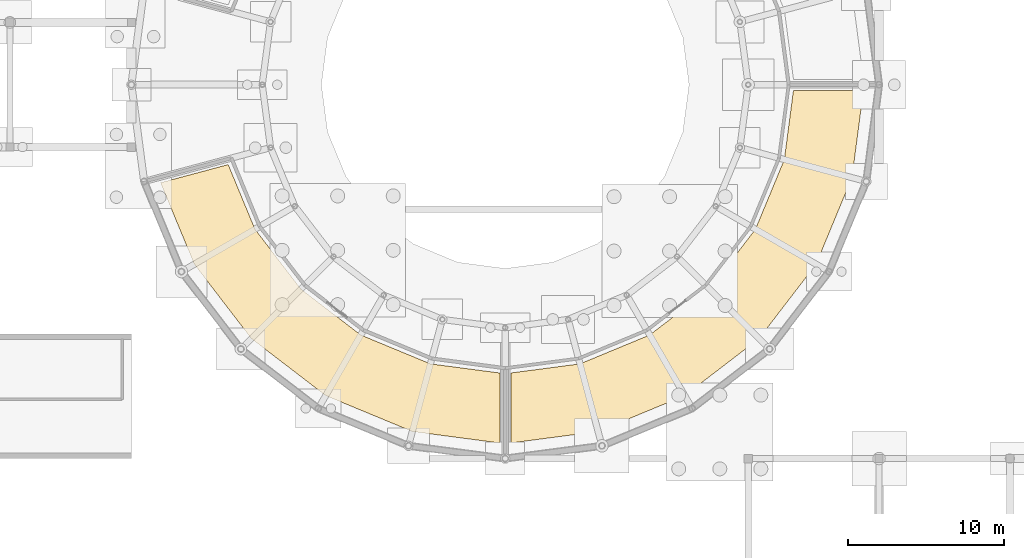
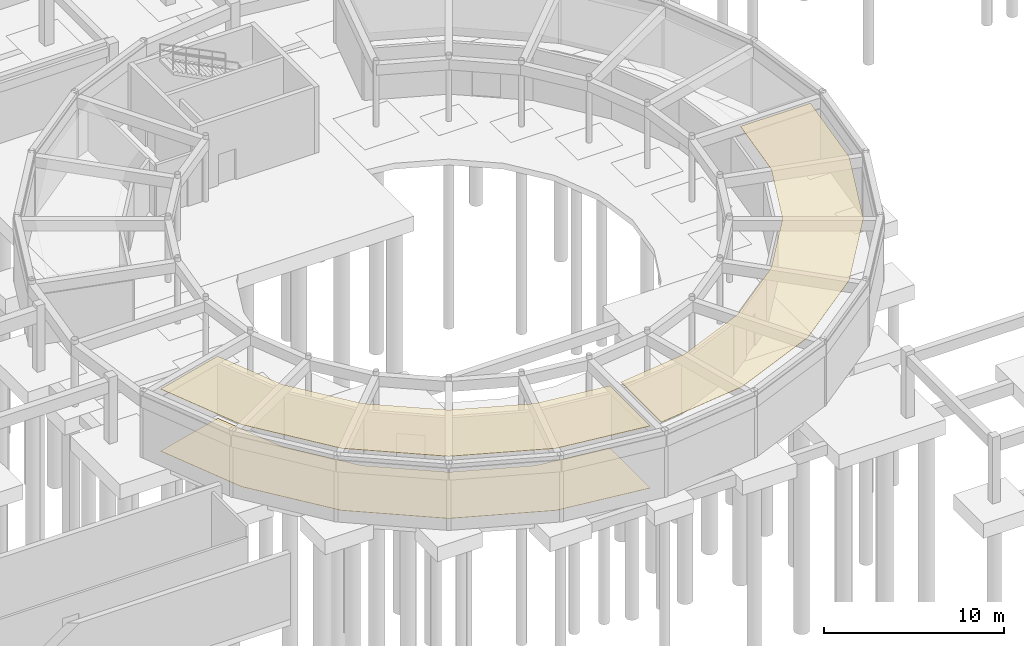
# One storey, part 36 of 43: 3 coverings.
"""IFC4 building model written with IfcOpenShell, lengths in metres."""

from ifc_helpers import new_model, si_unit, derived_unit, direction, frame, origin, place, context, subcontext, project, spatial, polyline, outline, extrude, material, layer, layer_set, type_object, element, save


model = new_model("IFC4")

# Units and contexts
model_context = context("Model", 3, precision=1e-05, world=origin(), true_north=direction((0.0, 1.0)))
body_context = subcontext(model_context, "Body", "Model", "MODEL_VIEW")
ifc_project = project(units=[si_unit("LENGTHUNIT", "METRE"), si_unit("AREAUNIT", "SQUARE_METRE"), si_unit("VOLUMEUNIT", "CUBIC_METRE"), si_unit("PLANEANGLEUNIT", "RADIAN"), si_unit("MASSUNIT", "GRAM", prefix="KILO"), derived_unit("THERMALTRANSMITTANCEUNIT", [(si_unit("POWERUNIT", "WATT"), 1), (si_unit("AREAUNIT", "SQUARE_METRE"), -1), (si_unit("THERMODYNAMICTEMPERATUREUNIT", "KELVIN"), -1)])], contexts=[model_context])

# Site, building, storey
site_placement = place(None, origin())
site = spatial("IfcSite", under=ifc_project, at=site_placement, CompositionType="ELEMENT")
building_placement = place(site_placement, origin())
building = spatial("IfcBuilding", under=site, at=building_placement, Name="Yasenodar Specialist Clinic", CompositionType="ELEMENT")
storey_placement = place(building_placement, frame((0.0, 0.0, -4.5)))
storey = spatial("IfcBuildingStorey", under=building, at=storey_placement, Name="B1", CompositionType="ELEMENT", Elevation=-4.5)

# Coverings
ifc_material_1 = material(Name="Hygienic Acoustic Mineral-Fibre Ceiling")
ifc_layer_1 = layer(ifc_material_1, 0.02490234375)
ifc_layer_set_1 = layer_set([ifc_layer_1], Name="Hygienic Acoustic Mineral-Fibre Ceiling")
covering_type_1 = type_object("IfcCoveringType", Name="COV-CEIL-AC", PredefinedType="CEILING", material=ifc_layer_set_1)
covering_1_placement = place(storey_placement, frame((0.0, 0.0, 4.2099609375)))
element("IfcCovering", 1, at=covering_1_placement, inside=storey, type_object=covering_type_1, Name="B1 Reverse Osmosis Dialysis Water Plant Acoustic Ceiling", PredefinedType="CEILING", context=body_context, shape_type="SweptSolid", body=[
    extrude(outline(polyline([(64.927978515625, 49.5380859375), (64.943115234375, 49.511962890625), (64.9609375, 49.487060546875), (67.85302734375, 45.718017578125), (67.873046875, 45.694091796875), (67.89404296875, 45.673095703125), (67.91796875, 45.653076171875), (71.68701171875, 42.760986328125), (71.7119140625, 42.742919921875), (71.738037109375, 42.72802734375), (71.76611328125, 42.715087890625), (76.156005859375, 40.89697265625), (76.18408203125, 40.885986328125), (76.214111328125, 40.8779296875), (76.243896484375, 40.873046875), (80.64990234375, 40.29296875), (80.64990234375, 35.799072265625), (75.034912109375, 36.5380859375), (69.47705078125, 38.841064453125), (64.702880859375, 42.5029296875), (61.041015625, 47.277099609375), (58.873046875, 52.509033203125), (63.214111328125, 53.672119140625), (64.9150390625, 49.56591796875), (64.927978515625, 49.5380859375)])), origin(), (0.0, 0.0, 1.0), 0.025146484375),
])
covering_2_placement = place(storey_placement, frame((0.0, 0.0, 4.2099609375)))
element("IfcCovering", 2, at=covering_2_placement, inside=storey, type_object=covering_type_1, Name="B1 Bulk Pharmacy Cold Storage Acoustic Ceiling", PredefinedType="CEILING", context=body_context, shape_type="SweptSolid", body=[
    extrude(outline(polyline([(97.297119140625, 42.5029296875), (92.52294921875, 38.841064453125), (86.965087890625, 36.5380859375), (81.3701171875, 35.802001953125), (81.3701171875, 40.2958984375), (85.756103515625, 40.873046875), (85.785888671875, 40.8779296875), (85.81591796875, 40.885986328125), (85.843994140625, 40.89697265625), (90.23388671875, 42.715087890625), (90.261962890625, 42.72802734375), (90.2880859375, 42.742919921875), (90.31298828125, 42.760986328125), (94.08203125, 45.653076171875), (94.10595703125, 45.673095703125), (94.126953125, 45.694091796875), (94.14697265625, 45.718017578125), (97.0390625, 49.487060546875), (97.056884765625, 49.511962890625), (97.072021484375, 49.5380859375), (97.0849609375, 49.56591796875), (98.903076171875, 53.9560546875), (98.9140625, 53.98388671875), (98.922119140625, 54.013916015625), (98.927001953125, 54.0439453125), (99.50390625, 58.429931640625), (103.998046875, 58.429931640625), (103.261962890625, 52.8349609375), (100.958984375, 47.277099609375), (97.297119140625, 42.5029296875)])), origin(), (0.0, 0.0, 1.0), 0.025146484375),
])
ifc_material_2 = material(Name="Seamless Epoxy Terrazzo Clinical Flooring")
ifc_layer_2 = layer(ifc_material_2, 0.02001953125)
ifc_layer_set_2 = layer_set([ifc_layer_2], Name="Seamless Epoxy Terrazzo Clinical Flooring")
covering_type_2 = type_object("IfcCoveringType", Name="COV-FLR-TERR", PredefinedType="FLOORING", material=ifc_layer_set_2)
covering_3_placement = place(storey_placement, origin())
element("IfcCovering", 3, at=covering_3_placement, inside=storey, type_object=covering_type_2, Name="B1 Reverse Osmosis Dialysis Water Plant Terrazzo Flooring", PredefinedType="FLOORING", context=body_context, shape_type="SweptSolid", body=[
    extrude(outline(polyline([(64.927978515625, 49.5380859375), (64.943115234375, 49.511962890625), (64.9609375, 49.487060546875), (67.85302734375, 45.718017578125), (67.873046875, 45.694091796875), (67.89404296875, 45.673095703125), (67.91796875, 45.653076171875), (71.68701171875, 42.760986328125), (71.7119140625, 42.742919921875), (71.738037109375, 42.72802734375), (71.76611328125, 42.715087890625), (76.156005859375, 40.89697265625), (76.18408203125, 40.885986328125), (76.214111328125, 40.8779296875), (76.243896484375, 40.873046875), (80.64990234375, 40.29296875), (80.64990234375, 35.799072265625), (75.034912109375, 36.5380859375), (69.47705078125, 38.841064453125), (64.702880859375, 42.5029296875), (61.041015625, 47.277099609375), (58.873046875, 52.509033203125), (63.214111328125, 53.672119140625), (64.9150390625, 49.56591796875), (64.927978515625, 49.5380859375)])), origin(), (0.0, 0.0, 1.0), 0.02001953125),
])

save(model, "model.ifc")
